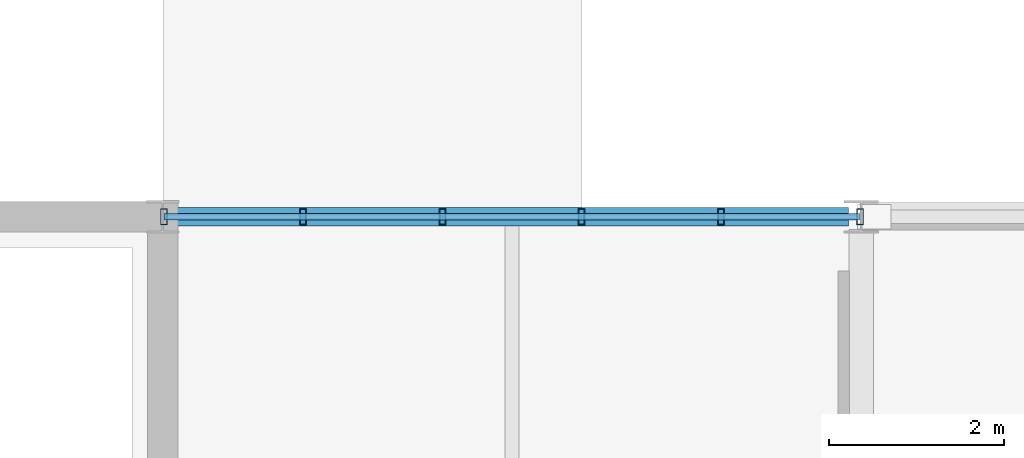
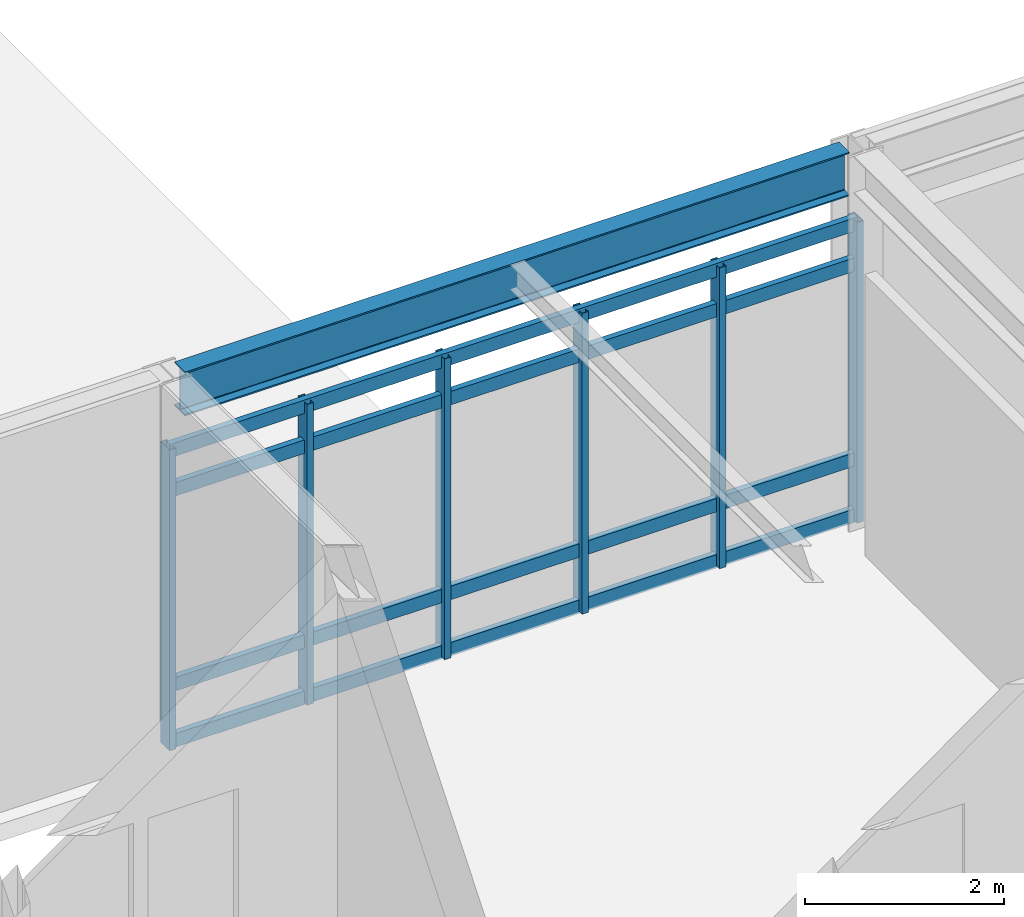
# One storey, part 27 of 100: 10 members, 1 beam, 1 element without a shape of its own.
"""IFC4 building model written with IfcOpenShell, lengths in metres."""

from ifc_helpers import new_model, si_unit, direction, frame, origin, origin_2d, place, context, subcontext, project, spatial, hollow_rectangle, i_section, extrude, material, material_profile, profile_set, type_object, element, aggregate, save


model = new_model("IFC4")

# Units and contexts
model_context = context("Model", 3, precision=1e-05, world=origin(), true_north=direction((0.0, 1.0)))
body_context = subcontext(model_context, "Body", "Model", "MODEL_VIEW")
ifc_project = project(units=[si_unit("LENGTHUNIT", "METRE"), si_unit("AREAUNIT", "SQUARE_METRE"), si_unit("VOLUMEUNIT", "CUBIC_METRE"), si_unit("PLANEANGLEUNIT", "RADIAN"), si_unit("MASSUNIT", "GRAM", prefix="KILO")], contexts=[model_context])

# Site, building, storey
site_placement = place(None, origin())
site = spatial("IfcSite", under=ifc_project, at=site_placement, CompositionType="ELEMENT")
building_placement = place(site_placement, origin())
building = spatial("IfcBuilding", under=site, at=building_placement, Name="Zulena Civic Courthouse", CompositionType="ELEMENT")
storey_placement = place(building_placement, frame((0.0, 0.0, 20.39990234375)))
storey = spatial("IfcBuildingStorey", under=building, at=storey_placement, Name="L04", CompositionType="ELEMENT", Elevation=20.39990234375)

# Curtain wall, members
ifc_material_1 = material(Name="Double-silver low-E laminated solar-control glass", Category="glass")
curtain_wall_type = type_object("IfcCurtainWallType", Name="CW_7976x3690", PredefinedType="USERDEFINED", material=ifc_material_1)
curtain_wall_placement = place(storey_placement, origin())
curtain_wall = element("IfcCurtainWall", 1, at=curtain_wall_placement, inside=storey, type_object=curtain_wall_type, Name="cw:V2:L04:1:3", ObjectType="UNITISED CURTAIN WALL", PredefinedType="USERDEFINED")
ifc_material_2 = material(Name="Bronze anodised thermally broken aluminium AA6063-T6", Category="aluminium")
ifc_material_profile_1 = material_profile(ifc_material_2, hollow_rectangle(XDim=0.074951171875, YDim=0.179931640625, WallThickness=0.0048828125, at=origin_2d()), Name="CWM180X75X5")
ifc_profile_set_1 = profile_set([ifc_material_profile_1], Name="Bronze anodised thermally broken aluminium AA6063-T6")
member_type_1 = type_object("IfcMemberType", Name="CWMullion_180x75", PredefinedType="MULLION", material=ifc_profile_set_1)
member_1_placement = place(storey_placement, frame((28.011962890625, 22.800048828125, 0.0), z_axis=(0.0, 0.0, 1.0), x_axis=(1.0, 0.0, 0.0)))
member_1 = element("IfcMember", 2, at=member_1_placement, type_object=member_type_1, Name="cw:V2:L04:1:3:mull:0", PredefinedType="MULLION", context=body_context, shape_type="SweptSolid", body=[
    extrude(hollow_rectangle(XDim=0.074951171875, YDim=0.179931640625, WallThickness=0.0048828125, at=origin_2d()), origin(), (0.0, 0.0, 1.0), 3.690185546875),
])
member_2_placement = place(storey_placement, frame((29.607177734375, 22.800048828125, 0.0), z_axis=(0.0, 0.0, 1.0), x_axis=(1.0, 0.0, 0.0)))
member_2 = element("IfcMember", 3, at=member_2_placement, type_object=member_type_1, Name="cw:V2:L04:1:3:mull:1", PredefinedType="MULLION", context=body_context, shape_type="SweptSolid", body=[
    extrude(hollow_rectangle(XDim=0.074951171875, YDim=0.179931640625, WallThickness=0.0048828125, at=origin_2d()), origin(), (0.0, 0.0, 1.0), 3.690185546875),
])
member_3_placement = place(storey_placement, frame((31.202392578125, 22.800048828125, 0.0), z_axis=(0.0, 0.0, 1.0), x_axis=(1.0, 0.0, 0.0)))
member_3 = element("IfcMember", 4, at=member_3_placement, type_object=member_type_1, Name="cw:V2:L04:1:3:mull:2", PredefinedType="MULLION", context=body_context, shape_type="SweptSolid", body=[
    extrude(hollow_rectangle(XDim=0.074951171875, YDim=0.179931640625, WallThickness=0.0048828125, at=origin_2d()), origin(), (0.0, 0.0, 1.0), 3.690185546875),
])
member_4_placement = place(storey_placement, frame((32.797607421875, 22.800048828125, 0.0), z_axis=(0.0, 0.0, 1.0), x_axis=(1.0, 0.0, 0.0)))
member_4 = element("IfcMember", 5, at=member_4_placement, type_object=member_type_1, Name="cw:V2:L04:1:3:mull:3", PredefinedType="MULLION", context=body_context, shape_type="SweptSolid", body=[
    extrude(hollow_rectangle(XDim=0.074951171875, YDim=0.179931640625, WallThickness=0.0048828125, at=origin_2d()), origin(), (0.0, 0.0, 1.0), 3.690185546875),
])
member_5_placement = place(storey_placement, frame((34.392822265625, 22.800048828125, 0.0), z_axis=(0.0, 0.0, 1.0), x_axis=(1.0, 0.0, 0.0)))
member_5 = element("IfcMember", 6, at=member_5_placement, type_object=member_type_1, Name="cw:V2:L04:1:3:mull:4", PredefinedType="MULLION", context=body_context, shape_type="SweptSolid", body=[
    extrude(hollow_rectangle(XDim=0.074951171875, YDim=0.179931640625, WallThickness=0.0048828125, at=origin_2d()), origin(), (0.0, 0.0, 1.0), 3.690185546875),
])
member_6_placement = place(storey_placement, frame((35.988037109375, 22.800048828125, 0.0), z_axis=(0.0, 0.0, 1.0), x_axis=(1.0, 0.0, 0.0)))
member_6 = element("IfcMember", 7, at=member_6_placement, type_object=member_type_1, Name="cw:V2:L04:1:3:mull:5", PredefinedType="MULLION", context=body_context, shape_type="SweptSolid", body=[
    extrude(hollow_rectangle(XDim=0.074951171875, YDim=0.179931640625, WallThickness=0.0048828125, at=origin_2d()), origin(), (0.0, 0.0, 1.0), 3.690185546875),
])
ifc_material_profile_2 = material_profile(ifc_material_2, hollow_rectangle(XDim=0.070068359375, YDim=0.1650390625, WallThickness=0.00390625, at=origin_2d()), Name="CWT165X70X4")
ifc_profile_set_2 = profile_set([ifc_material_profile_2], Name="Bronze anodised thermally broken aluminium AA6063-T6")
member_type_2 = type_object("IfcMemberType", Name="CWTransom_165x70", PredefinedType="USERDEFINED", material=ifc_profile_set_2)
member_7_placement = place(storey_placement, frame((28.011962890625, 22.800048828125, 0.06005859375), z_axis=(1.0, 0.0, 0.0), x_axis=(0.0, 1.0, 0.0)))
member_7 = element("IfcMember", 8, at=member_7_placement, type_object=member_type_2, Name="cw:V2:L04:1:3:tran:0", ObjectType="TRANSOM", PredefinedType="USERDEFINED", context=body_context, shape_type="SweptSolid", body=[
    extrude(hollow_rectangle(XDim=0.070068359375, YDim=0.1650390625, WallThickness=0.00390625, at=origin_2d()), origin(), (0.0, 0.0, 1.0), 7.97607421875),
])
member_8_placement = place(storey_placement, frame((28.011962890625, 22.800048828125, 0.75), z_axis=(1.0, 0.0, 0.0), x_axis=(0.0, 1.0, 0.0)))
member_8 = element("IfcMember", 9, at=member_8_placement, type_object=member_type_2, Name="cw:V2:L04:1:3:tran:1", ObjectType="TRANSOM", PredefinedType="USERDEFINED", context=body_context, shape_type="SweptSolid", body=[
    extrude(hollow_rectangle(XDim=0.070068359375, YDim=0.1650390625, WallThickness=0.00390625, at=origin_2d()), origin(), (0.0, 0.0, 1.0), 7.97607421875),
])
member_9_placement = place(storey_placement, frame((28.011962890625, 22.800048828125, 3.14013671875), z_axis=(1.0, 0.0, 0.0), x_axis=(0.0, 1.0, 0.0)))
member_9 = element("IfcMember", 10, at=member_9_placement, type_object=member_type_2, Name="cw:V2:L04:1:3:tran:2", ObjectType="TRANSOM", PredefinedType="USERDEFINED", context=body_context, shape_type="SweptSolid", body=[
    extrude(hollow_rectangle(XDim=0.070068359375, YDim=0.1650390625, WallThickness=0.00390625, at=origin_2d()), origin(), (0.0, 0.0, 1.0), 7.97607421875),
])
member_10_placement = place(storey_placement, frame((28.011962890625, 22.800048828125, 3.630126953125), z_axis=(1.0, 0.0, 0.0), x_axis=(0.0, 1.0, 0.0)))
member_10 = element("IfcMember", 11, at=member_10_placement, type_object=member_type_2, Name="cw:V2:L04:1:3:tran:3", ObjectType="TRANSOM", PredefinedType="USERDEFINED", context=body_context, shape_type="SweptSolid", body=[
    extrude(hollow_rectangle(XDim=0.070068359375, YDim=0.1650390625, WallThickness=0.00390625, at=origin_2d()), origin(), (0.0, 0.0, 1.0), 7.97607421875),
])
aggregate(curtain_wall, [member_1, member_2, member_3, member_4, member_5, member_6, member_7, member_8, member_9, member_10])

# Beam
ifc_material_3 = material(Name="Steel ASTM A992 Grade 50", Category="steel")
ifc_material_profile_3 = material_profile(ifc_material_3, i_section(OverallWidth=0.2099609375, OverallDepth=0.537109375, WebThickness=0.010986328125, FlangeThickness=0.017333984375, FilletRadius=0.0126953125, at=origin_2d()), Name="W21X68")
ifc_profile_set_3 = profile_set([ifc_material_profile_3], Name="Steel ASTM A992 Grade 50")
beam_type = type_object("IfcBeamType", Name="Spandrel_W21X68", PredefinedType="SPANDREL", material=ifc_profile_set_3)
beam_placement = place(storey_placement, frame((28.14501953125, 22.800048828125, 4.32666015625), z_axis=(1.0, 0.0, 0.0), x_axis=(0.0, 1.0, 0.0)))
element("IfcBeam", 12, at=beam_placement, inside=storey, type_object=beam_type, Name="beam:X:V2:L04:22.8:28.0_36.0", PredefinedType="SPANDREL", context=body_context, shape_type="SweptSolid", body=[
    extrude(i_section(OverallWidth=0.2099609375, OverallDepth=0.537109375, WebThickness=0.010986328125, FlangeThickness=0.017333984375, FilletRadius=0.0126953125, at=origin_2d()), origin(), (0.0, 0.0, 1.0), 7.7099609375),
])

save(model, "model.ifc")
